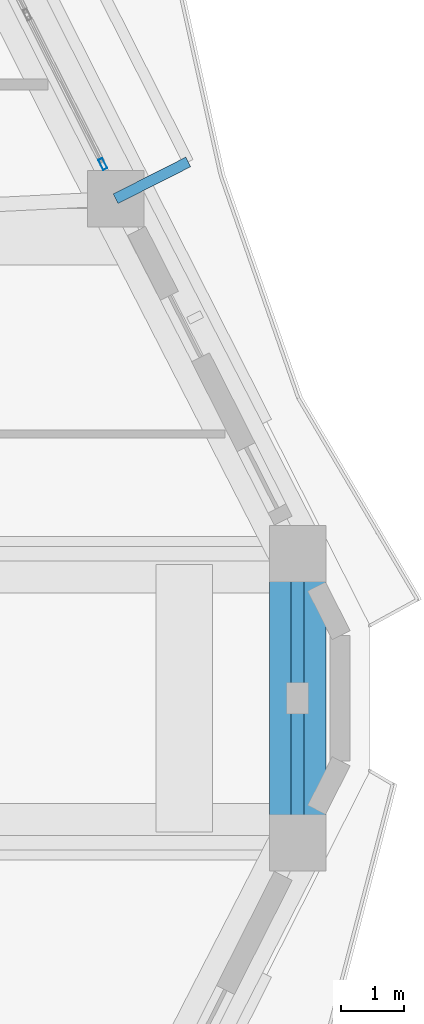
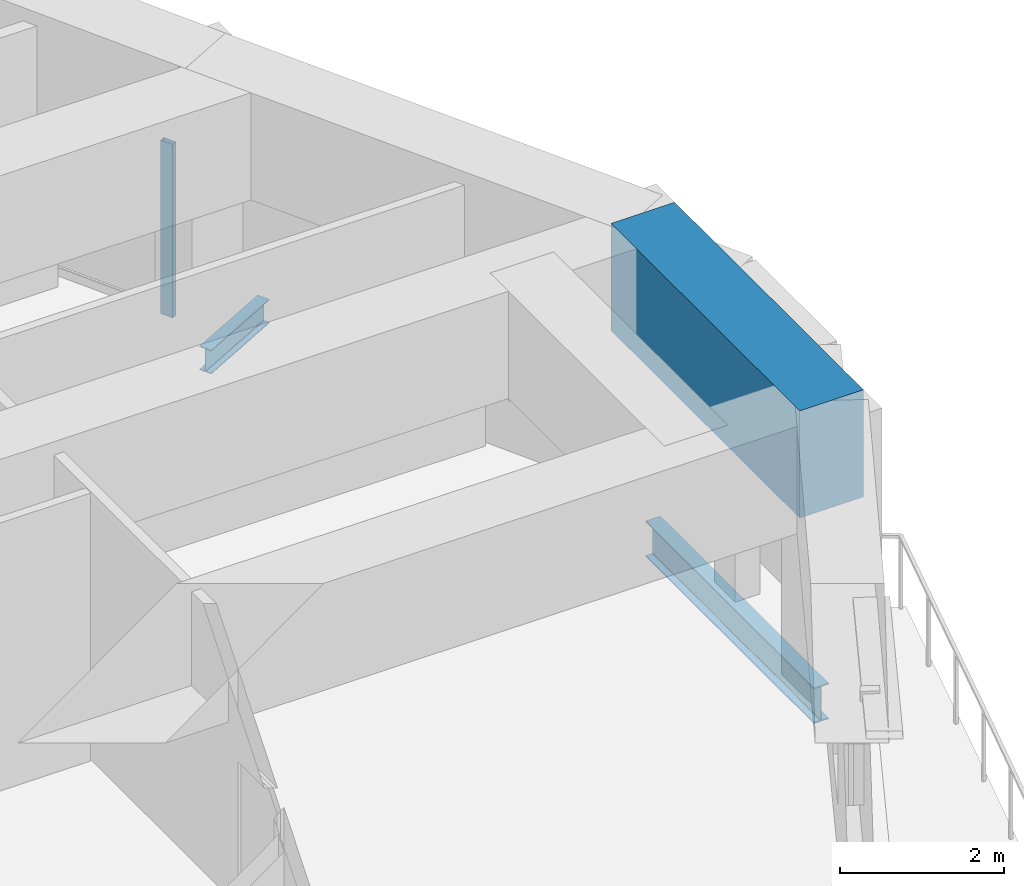
# One storey, part 7 of 20: 3 beams, 1 member, 1 element without a shape of its own.
"""IFC4 building model written with IfcOpenShell, lengths in metres."""

from ifc_helpers import new_model, si_unit, direction, frame, origin, origin_2d, place, context, subcontext, project, spatial, rectangle, hollow_rectangle, i_section, extrude, material, layer, layer_set, material_profile, profile_set, type_object, element, aggregate, save


model = new_model("IFC4")

# Units and contexts
model_context = context("Model", 3, precision=1e-05, world=origin(), true_north=direction((0.0, 1.0)))
body_context = subcontext(model_context, "Body", "Model", "MODEL_VIEW")
ifc_project = project(units=[si_unit("LENGTHUNIT", "METRE"), si_unit("AREAUNIT", "SQUARE_METRE"), si_unit("VOLUMEUNIT", "CUBIC_METRE"), si_unit("PLANEANGLEUNIT", "RADIAN"), si_unit("MASSUNIT", "GRAM", prefix="KILO")], contexts=[model_context])

# Site, building, storey
site_placement = place(None, origin())
site = spatial("IfcSite", under=ifc_project, at=site_placement, CompositionType="ELEMENT")
building_placement = place(site_placement, origin())
building = spatial("IfcBuilding", under=site, at=building_placement, Name="Cinnabar Lancet Tower", CompositionType="ELEMENT")
storey_placement = place(building_placement, frame((0.0, 0.0, 167.699951171875)))
storey = spatial("IfcBuildingStorey", under=building, at=storey_placement, Name="L44", CompositionType="ELEMENT", Elevation=167.699951171875)

# Curtain wall, member
ifc_material_1 = material(Name="Thermally broken bronze-anodized aluminium and low-E glass", Category="aluminium")
ifc_layer = layer(ifc_material_1, 0.179931640625)
ifc_layer_set = layer_set([ifc_layer], Name="Thermally broken bronze-anodized aluminium and low-E glass")
curtain_wall_type = type_object("IfcCurtainWallType", Name="ENV-CW-SYS-03", PredefinedType="NOTDEFINED", material=ifc_layer_set)
curtain_wall_placement = place(storey_placement, origin())
curtain_wall = element("IfcCurtainWall", 1, at=curtain_wall_placement, inside=storey, type_object=curtain_wall_type, Name="L44 Face 3 Feature Curtain Wall", PredefinedType="NOTDEFINED")
ifc_material_2 = material(Name="Anodized architectural aluminium 6063-T6", Category="aluminium")
ifc_material_profile_1 = material_profile(ifc_material_2, hollow_rectangle(XDim=0.074951171875, YDim=0.179931640625, WallThickness=0.00390625, InnerFilletRadius=0.001953125, OuterFilletRadius=0.006103515625, at=origin_2d()), Name="CW-MUL 180x75x4")
ifc_profile_set_1 = profile_set([ifc_material_profile_1], Name="Anodized architectural aluminium 6063-T6")
member_type = type_object("IfcMemberType", Name="ENV-CW-MUL-180", PredefinedType="MULLION", material=ifc_profile_set_1)
member_placement = place(storey_placement, frame((53.246337890625, 34.328857421875, 0.0), z_axis=(0.0, 0.0, 1.0), x_axis=(-0.892309878501, -0.451423394088, 0.0)))
member = element("IfcMember", 2, at=member_placement, type_object=member_type, Name="CW-03 mullion 1", PredefinedType="MULLION", context=body_context, shape_type="SweptSolid", body=[
    extrude(hollow_rectangle(XDim=0.074951171875, YDim=0.179931640625, WallThickness=0.00390625, InnerFilletRadius=0.001953125, OuterFilletRadius=0.006103515625, at=origin_2d()), origin(), (0.0, 0.0, 1.0), 2.590087890625),
])
aggregate(curtain_wall, [member])

# Beams
ifc_material_3 = material(Name="Concrete C70/85", Category="concrete")
ifc_material_profile_2 = material_profile(ifc_material_3, rectangle(XDim=0.89990234375, YDim=1.60009765625, at=origin_2d()), Name="RC-BG 900x1600")
ifc_profile_set_2 = profile_set([ifc_material_profile_2], Name="Concrete C70/85")
beam_type_1 = type_object("IfcBeamType", Name="STR-BM-BG-1600", PredefinedType="BEAM", material=ifc_profile_set_2)
beam_1_placement = place(storey_placement, frame((56.35693359375, 23.490966796875, 3.400146484375), z_axis=(0.0, 1.0, 0.0), x_axis=(-1.0, 0.0, 0.0)))
element("IfcBeam", 3, at=beam_1_placement, inside=storey, type_object=beam_type_1, Name="L45 Setback Outer Ring Girder 8", PredefinedType="BEAM", context=body_context, shape_type="SweptSolid", body=[
    extrude(rectangle(XDim=0.89990234375, YDim=1.60009765625, at=origin_2d()), origin(), (0.0, 0.0, 1.0), 4.617919921875),
])
ifc_material_4 = material(Name="Structural steel S355", Category="steel")
ifc_material_profile_3 = material_profile(ifc_material_4, i_section(OverallWidth=0.209228515625, OverallDepth=0.533203125, WebThickness=0.010009765625, FlangeThickness=0.015625, FilletRadius=0.0126953125, at=origin_2d()), Name="UKB 533x210x92")
ifc_profile_set_3 = profile_set([ifc_material_profile_3], Name="Structural steel S355")
beam_type_2 = type_object("IfcBeamType", Name="STR-BM-SPN-533", PredefinedType="SPANDREL", material=ifc_profile_set_3)
beam_2_placement = place(storey_placement, frame((56.35693359375, 23.740966796875, -0.47705078125), z_axis=(0.0, 1.0, 0.0), x_axis=(-1.0, 0.0, 0.0)))
element("IfcBeam", 4, at=beam_2_placement, inside=storey, type_object=beam_type_2, Name="L44 Perimeter Spandrel 8", PredefinedType="SPANDREL", context=body_context, shape_type="SweptSolid", body=[
    extrude(i_section(OverallWidth=0.209228515625, OverallDepth=0.533203125, WebThickness=0.010009765625, FlangeThickness=0.015625, FilletRadius=0.0126953125, at=origin_2d()), origin(), (0.0, 0.0, 1.0), 4.117919921875),
])
ifc_material_5 = material(Name="Structural steel S355", Category="steel")
ifc_material_profile_4 = material_profile(ifc_material_5, i_section(OverallWidth=0.17138671875, OverallDepth=0.35498046875, WebThickness=0.00732421875, FlangeThickness=0.011474609375, FilletRadius=0.01025390625, at=origin_2d()), Name="UKB 356x171x51")
ifc_profile_set_4 = profile_set([ifc_material_profile_4], Name="Structural steel S355")
beam_type_3 = type_object("IfcBeamType", Name="STR-BM-WAV-OUT", PredefinedType="BEAM", material=ifc_profile_set_4)
beam_3_placement = place(storey_placement, frame((53.451904296875, 33.77587890625, -0.41796875), z_axis=(0.892238560088, 0.451564338597, 0.0), x_axis=(-0.451564338597, 0.892238560088, 0.0)))
element("IfcBeam", 5, at=beam_3_placement, inside=storey, type_object=beam_type_3, Name="L44 Face 3 Balcony Outlooker A", PredefinedType="BEAM", context=body_context, shape_type="SweptSolid", body=[
    extrude(i_section(OverallWidth=0.17138671875, OverallDepth=0.35498046875, WebThickness=0.00732421875, FlangeThickness=0.011474609375, FilletRadius=0.01025390625, at=origin_2d()), origin(), (0.0, 0.0, 1.0), 1.30029296875),
])

save(model, "model.ifc")
